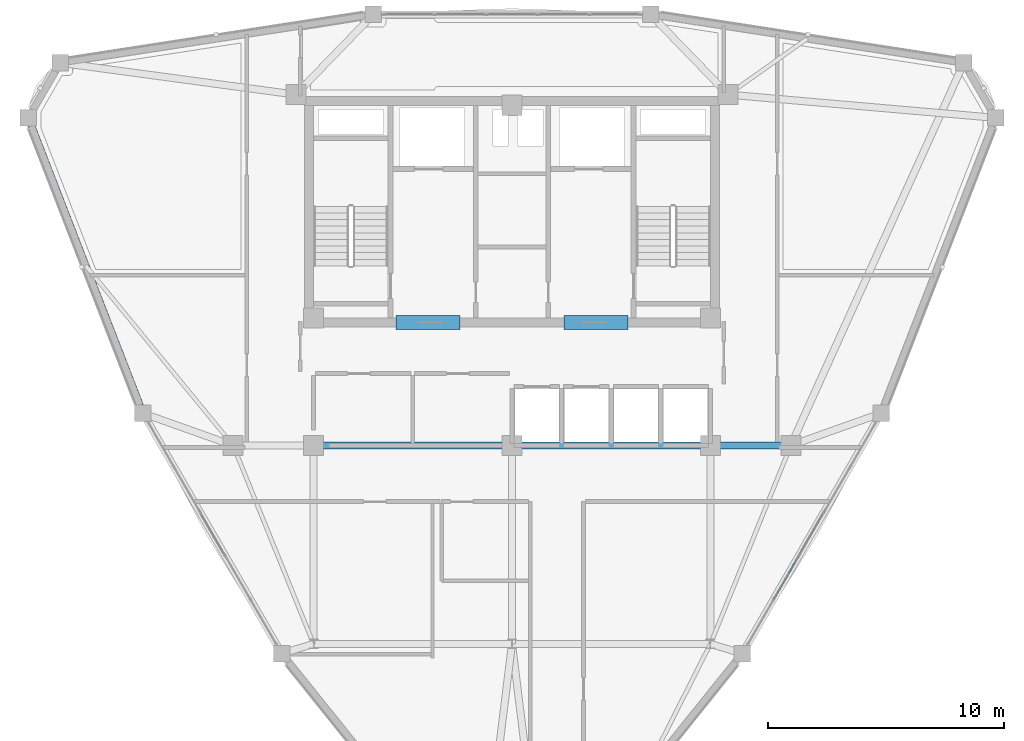
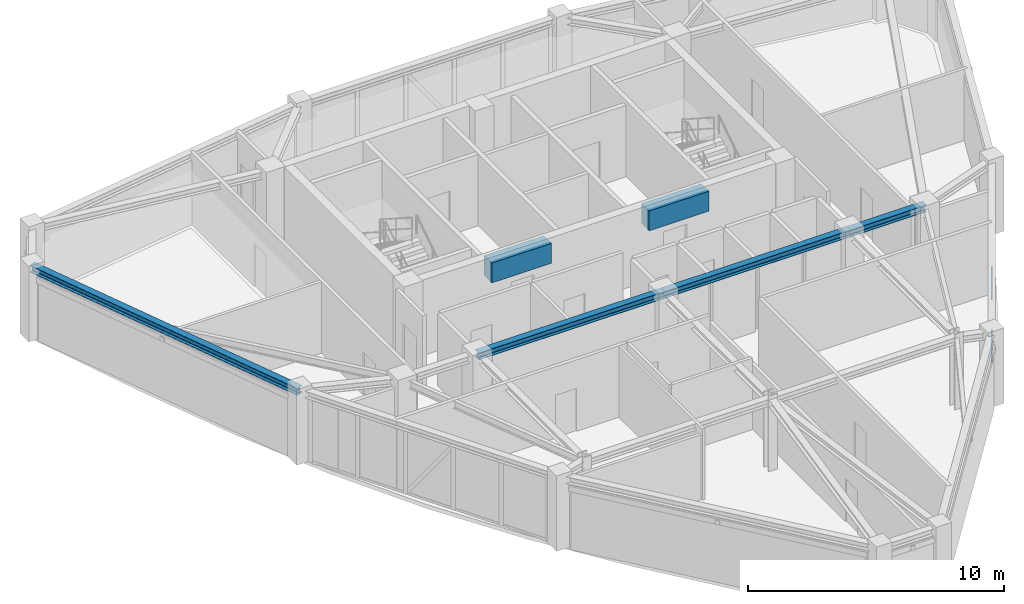
# One storey, part 6 of 15: 6 beams, 2 members, 1 element without a shape of its own.
"""IFC4 building model written with IfcOpenShell, lengths in metres."""

from ifc_helpers import new_model, si_unit, derived_unit, direction, frame, origin, origin_2d, place, context, subcontext, project, spatial, rectangle, hollow_rectangle, i_section, extrude, source, transform, mapped, material, layer, layer_set, material_profile, profile_set, type_object, element, aggregate, save


model = new_model("IFC4")

# Units and contexts
model_context = context("Model", 3, precision=1e-05, world=origin(), true_north=direction((0.0, 1.0)))
body_context = subcontext(model_context, "Body", "Model", "MODEL_VIEW")
ifc_project = project(units=[si_unit("LENGTHUNIT", "METRE"), si_unit("AREAUNIT", "SQUARE_METRE"), si_unit("VOLUMEUNIT", "CUBIC_METRE"), si_unit("PLANEANGLEUNIT", "RADIAN"), si_unit("MASSUNIT", "GRAM", prefix="KILO"), derived_unit("THERMALTRANSMITTANCEUNIT", [(si_unit("POWERUNIT", "WATT"), 1), (si_unit("LENGTHUNIT", "METRE"), -2), (si_unit("THERMODYNAMICTEMPERATUREUNIT", "KELVIN"), -1)])], contexts=[model_context])

# Site, building, storey
site_placement = place(None, origin())
site = spatial("IfcSite", under=ifc_project, at=site_placement, CompositionType="ELEMENT")
building_placement = place(site_placement, origin())
building = spatial("IfcBuilding", under=site, at=building_placement, Name="Korsvarv Bourse and Concert Hall", CompositionType="ELEMENT")
storey_placement = place(building_placement, frame((0.0, 0.0, 268.199951171875)))
storey = spatial("IfcBuildingStorey", under=building, at=storey_placement, Name="L70", CompositionType="ELEMENT", Elevation=268.199951171875)

# Beams
ifc_material_1 = material(Name="Concrete C55/67", Category="concrete")
ifc_material_profile_1 = material_profile(ifc_material_1, rectangle(XDim=0.60009765625, YDim=0.949951171875, at=origin_2d()), Name="RC-BM 600x950")
ifc_profile_set_1 = profile_set([ifc_material_profile_1], Name="Concrete C55/67")
beam_type_1 = type_object("IfcBeamType", Name="BM-CPL", PredefinedType="LINTEL", material=ifc_profile_set_1)
shared_shape_1 = source(origin(), body_context, "Body", "SweptSolid", [
    extrude(rectangle(XDim=0.60009765625, YDim=0.949951171875, at=origin_2d()), origin(), (0.0, 0.0, 1.0), 2.699951171875),
])
for number, where, z_axis, x_axis, name in (
    (1, (31.10009765625, 37.610107421875, 2.93505859375), (1.0, 0.0, 0.0), (0.0, 1.0, 0.0), "L70 Core Coupling Beam West"),
    (2, (38.199951171875, 37.610107421875, 2.93505859375), (1.0, 0.0, 0.0), (0.0, 1.0, 0.0), "L70 Core Coupling Beam East"),
):
    element("IfcBeam", number, at=place(storey_placement, frame(where, z_axis=z_axis, x_axis=x_axis)), inside=storey, type_object=beam_type_1, Name=name, PredefinedType="LINTEL", context=body_context, shape_type="MappedRepresentation", body=[
        mapped(shared_shape_1, transform((0.0, 0.0, 0.0), scale=1.0)),
    ])
ifc_material_2 = material(Name="Steel S355", Category="steel")
ifc_material_profile_2 = material_profile(ifc_material_2, i_section(OverallWidth=0.300048828125, OverallDepth=0.330078125, WebThickness=0.009521484375, FlangeThickness=0.0166015625, FilletRadius=0.02099609375, at=origin_2d()), Name="HEA 340")
ifc_profile_set_2 = profile_set([ifc_material_profile_2], Name="Steel S355")
beam_type_2 = type_object("IfcBeamType", Name="BM-HEA340", PredefinedType="BEAM", material=ifc_profile_set_2)
shared_shape_2 = source(origin(), body_context, "Body", "SweptSolid", [
    extrude(i_section(OverallWidth=0.300048828125, OverallDepth=0.330078125, WebThickness=0.009521484375, FlangeThickness=0.0166015625, FilletRadius=0.02099609375, at=origin_2d()), origin(), (0.0, 0.0, 1.0), 3.400146484375),
])
beam_1_placement = place(storey_placement, frame((44.39990234375, 32.39990234375, 3.2451171875), z_axis=(1.0, 0.0, 0.0), x_axis=(0.0, 1.0, 0.0)))
element("IfcBeam", 3, at=beam_1_placement, inside=storey, type_object=beam_type_2, Name="L70 beam B-12", PredefinedType="BEAM", context=body_context, shape_type="MappedRepresentation", body=[
    mapped(shared_shape_2, transform((0.0, 0.0, 0.0), scale=1.0)),
])
shared_shape_3 = source(origin(), body_context, "Body", "SweptSolid", [
    extrude(i_section(OverallWidth=0.300048828125, OverallDepth=0.330078125, WebThickness=0.009521484375, FlangeThickness=0.0166015625, FilletRadius=0.02099609375, at=origin_2d()), origin(), (0.0, 0.0, 1.0), 8.39990234375),
])
for number, where, z_axis, x_axis, name in (
    (4, (27.60009765625, 32.39990234375, 3.2451171875), (1.0, 0.0, 0.0), (0.0, 1.0, 0.0), "L70 beam B-12"),
    (5, (36.0, 32.39990234375, 3.2451171875), (1.0, 0.0, 0.0), (0.0, 1.0, 0.0), "L70 beam B-12"),
):
    element("IfcBeam", number, at=place(storey_placement, frame(where, z_axis=z_axis, x_axis=x_axis)), inside=storey, type_object=beam_type_2, Name=name, PredefinedType="BEAM", context=body_context, shape_type="MappedRepresentation", body=[
        mapped(shared_shape_3, transform((0.0, 0.0, 0.0), scale=1.0)),
    ])
shared_shape_4 = source(origin(), body_context, "Body", "SweptSolid", [
    extrude(i_section(OverallWidth=0.300048828125, OverallDepth=0.330078125, WebThickness=0.009521484375, FlangeThickness=0.0166015625, FilletRadius=0.02099609375, at=origin_2d()), origin(), (0.0, 0.0, 1.0), 13.415771484375),
])
beam_2_placement = place(storey_placement, frame((15.52587890625, 46.266357421875, 3.2451171875), z_axis=(0.361883280092, -0.932223412917, 0.0), x_axis=(0.932223412917, 0.361883280092, 0.0)))
element("IfcBeam", 6, at=beam_2_placement, inside=storey, type_object=beam_type_2, Name="L70 beam B-12", PredefinedType="BEAM", context=body_context, shape_type="MappedRepresentation", body=[
    mapped(shared_shape_4, transform((0.0, 0.0, 0.0), scale=1.0)),
])

# Curtain wall, members
ifc_material_3 = material(Name="Anodised aluminium and triple low-E glazing", Category="glass")
ifc_layer = layer(ifc_material_3, 0.199951171875)
ifc_layer_set = layer_set([ifc_layer], Name="Anodised aluminium and triple low-E glazing")
curtain_wall_type = type_object("IfcCurtainWallType", Name="CW-SYS-3", PredefinedType="NOTDEFINED", material=ifc_layer_set)
curtain_wall_placement = place(storey_placement, origin())
curtain_wall = element("IfcCurtainWall", 7, at=curtain_wall_placement, inside=storey, type_object=curtain_wall_type, Name="L70 CW3 curtain wall CW-L70-F11", PredefinedType="NOTDEFINED")
ifc_material_4 = material(Name="Extruded aluminium EN AW-6063 T66", Category="aluminium")
ifc_material_profile_3 = material_profile(ifc_material_4, hollow_rectangle(XDim=0.06494140625, YDim=0.139892578125, WallThickness=0.00390625, at=origin_2d()), Name="ALU-T 65x140")
ifc_profile_set_3 = profile_set([ifc_material_profile_3], Name="Extruded aluminium EN AW-6063 T66")
member_type = type_object("IfcMemberType", Name="CWT-140", PredefinedType="USERDEFINED", material=ifc_profile_set_3)
shared_shape_5 = source(origin(), body_context, "Body", "SweptSolid", [
    extrude(hollow_rectangle(XDim=0.06494140625, YDim=0.139892578125, WallThickness=0.00390625, at=origin_2d()), origin(), (0.0, 0.0, 1.0), 2.09326171875),
])
member_1_placement = place(storey_placement, frame((47.07958984375, 25.89697265625, 0.032470703125), z_axis=(0.5000152428, 0.866016603171, 0.0), x_axis=(-0.866016603171, 0.5000152428, 0.0)))
member_1 = element("IfcMember", 8, at=member_1_placement, type_object=member_type, Name="CW3 transom 2.1", ObjectType="TRANSOM", PredefinedType="USERDEFINED", context=body_context, shape_type="MappedRepresentation", body=[
    mapped(shared_shape_5, transform((0.0, 0.0, 0.0), scale=1.0)),
])
member_2_placement = place(storey_placement, frame((47.07958984375, 25.89697265625, 3.047607421875), z_axis=(0.5000152428, 0.866016603171, 0.0), x_axis=(-0.866016603171, 0.5000152428, 0.0)))
member_2 = element("IfcMember", 9, at=member_2_placement, type_object=member_type, Name="CW3 transom 2.2", ObjectType="TRANSOM", PredefinedType="USERDEFINED", context=body_context, shape_type="MappedRepresentation", body=[
    mapped(shared_shape_5, transform((0.0, 0.0, 0.0), scale=1.0)),
])
aggregate(curtain_wall, [member_1, member_2])

save(model, "model.ifc")
